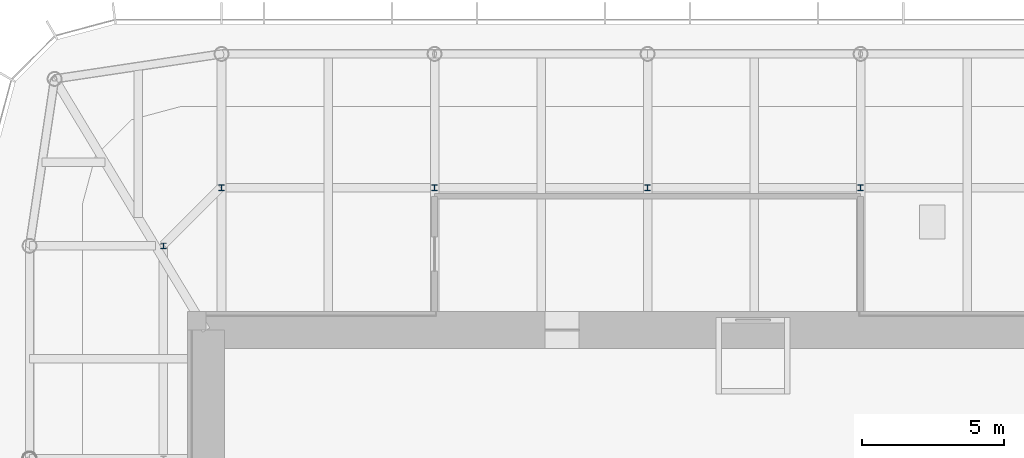
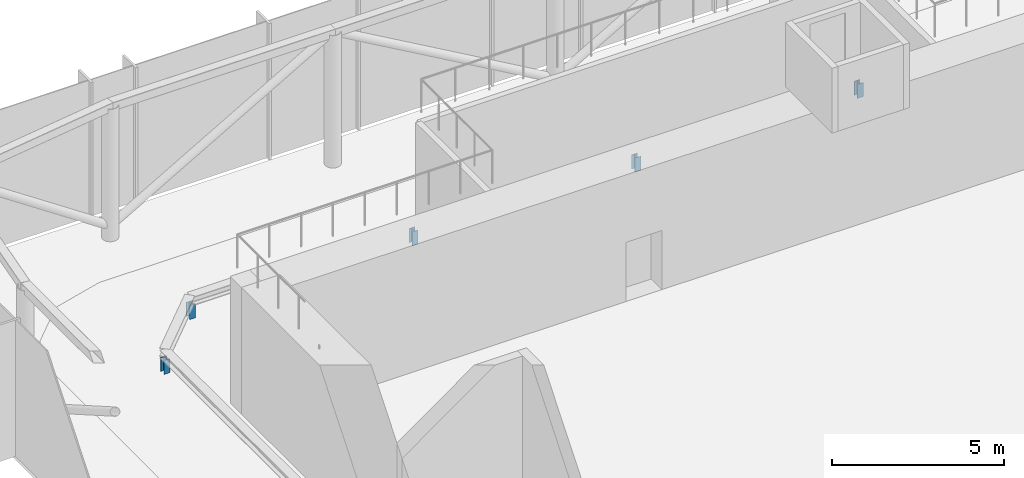
# One storey, part 8 of 12: 5 members.
"""IFC4 building model written with IfcOpenShell, lengths in metres."""

from ifc_helpers import new_model, si_unit, direction, frame, origin, origin_2d, place, context, subcontext, project, spatial, i_section, extrude, material, material_profile, profile_set, type_object, element, save


model = new_model("IFC4")

# Units and contexts
model_context = context("Model", 3, precision=1e-05, world=origin(), true_north=direction((0.0, 1.0)))
body_context = subcontext(model_context, "Body", "Model", "MODEL_VIEW")
ifc_project = project(units=[si_unit("LENGTHUNIT", "METRE"), si_unit("AREAUNIT", "SQUARE_METRE"), si_unit("VOLUMEUNIT", "CUBIC_METRE"), si_unit("PLANEANGLEUNIT", "RADIAN"), si_unit("MASSUNIT", "GRAM", prefix="KILO")], contexts=[model_context])

# Site, building, storey
site_placement = place(None, origin())
site = spatial("IfcSite", under=ifc_project, at=site_placement, CompositionType="ELEMENT")
building_placement = place(site_placement, origin())
building = spatial("IfcBuilding", under=site, at=building_placement, Name="Khuree Lantern Residences", CompositionType="ELEMENT")
storey_placement = place(building_placement, frame((0.0, 0.0, 363.25)))
storey = spatial("IfcBuildingStorey", under=building, at=storey_placement, Name="RF", CompositionType="ELEMENT", Elevation=363.25)

# Members
ifc_material = material(Name="Steel S355", Category="steel")
ifc_material_profile = material_profile(ifc_material, i_section(OverallWidth=0.199951171875, OverallDepth=0.199951171875, WebThickness=0.009033203125, FlangeThickness=0.014892578125, FilletRadius=0.01806640625, at=origin_2d()), Name="HE 200 B")
ifc_profile_set = profile_set([ifc_material_profile], Name="Steel S355")
member_type = type_object("IfcMemberType", Name="BM2 GANTRY TRACK PEDESTAL HE 200 B", PredefinedType="POST", material=ifc_profile_set)
for number, where, z_axis, x_axis, name in (
    (1, (7.47998046875, 17.0, 0.0), (0.0, 0.0, 1.0), (1.0, 0.0, 0.0), "Gantry track pedestal 12"),
    (2, (0.0, 17.0, 0.0), (0.0, 0.0, 1.0), (1.0, 0.0, 0.0), "Gantry track pedestal 13"),
    (3, (-7.47998046875, 17.0, 0.0), (0.0, 0.0, 1.0), (1.0, 0.0, 0.0), "Gantry track pedestal 14"),
    (4, (-14.9599609375, 17.0, 0.0), (0.0, 0.0, 1.0), (1.0, 0.0, 0.0), "Gantry track pedestal 15"),
    (5, (-17.0, 14.9599609375, 0.0), (0.0, 0.0, 1.0), (1.0, 0.0, 0.0), "Gantry track pedestal 16"),
):
    element("IfcMember", number, at=place(storey_placement, frame(where, z_axis=z_axis, x_axis=x_axis)), inside=storey, type_object=member_type, Name=name, PredefinedType="POST", context=body_context, shape_type="SweptSolid", body=[
        extrude(i_section(OverallWidth=0.199951171875, OverallDepth=0.199951171875, WebThickness=0.009033203125, FlangeThickness=0.014892578125, FilletRadius=0.01806640625, at=origin_2d()), origin(), (0.0, 0.0, 1.0), 0.5),
    ])

save(model, "model.ifc")
